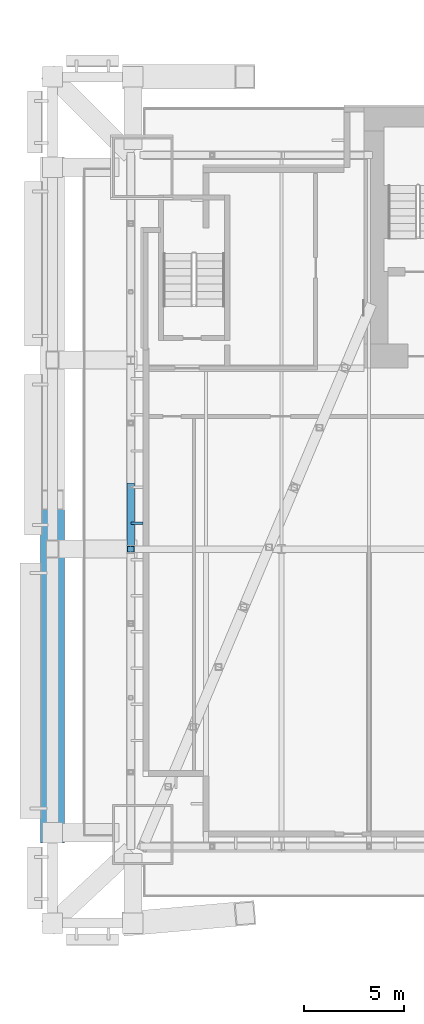
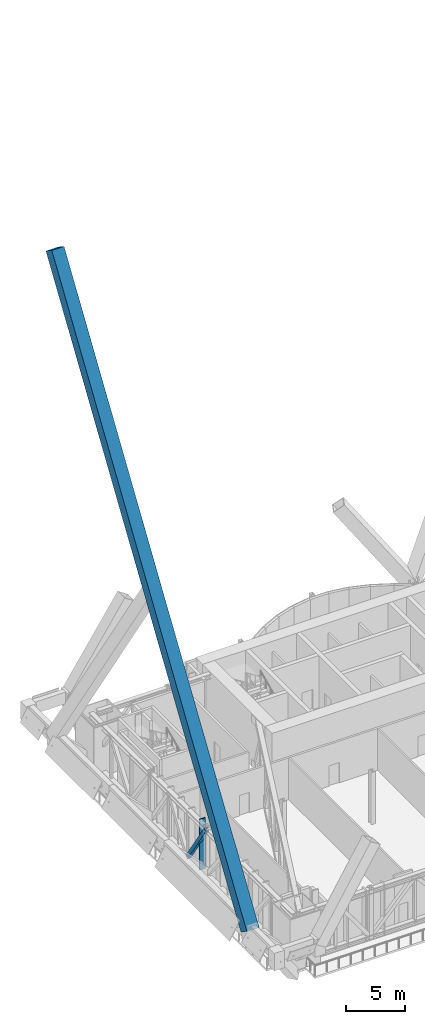
# One storey, part 7 of 32: 3 members, 1 element without a shape of its own.
"""IFC4 building model written with IfcOpenShell, lengths in metres."""

from ifc_helpers import new_model, si_unit, direction, frame, origin, origin_2d, place, context, subcontext, project, spatial, rectangle, hollow_rectangle, extrude, material, material_profile, profile_set, type_object, element, aggregate, save


model = new_model("IFC4")

# Units and contexts
model_context = context("Model", 3, precision=1e-05, world=origin(), true_north=direction((0.0, 1.0)))
body_context = subcontext(model_context, "Body", "Model", "MODEL_VIEW")
ifc_project = project(units=[si_unit("LENGTHUNIT", "METRE"), si_unit("AREAUNIT", "SQUARE_METRE"), si_unit("VOLUMEUNIT", "CUBIC_METRE"), si_unit("PLANEANGLEUNIT", "RADIAN"), si_unit("MASSUNIT", "GRAM", prefix="KILO")], contexts=[model_context])

# Site, building, storey
site_placement = place(None, origin())
site = spatial("IfcSite", under=ifc_project, at=site_placement, CompositionType="ELEMENT")
building_placement = place(site_placement, origin())
building = spatial("IfcBuilding", under=site, at=building_placement, Name="Bicima Exchange Tower", CompositionType="ELEMENT")
storey_placement = place(building_placement, frame((0.0, 0.0, 84.5)))
storey = spatial("IfcBuildingStorey", under=building, at=storey_placement, Name="L17", CompositionType="ELEMENT", Elevation=84.5)

# Curtain wall, member
ifc_material_1 = material(Name="Anodised bronze aluminium", Category="aluminium")
curtain_wall_type = type_object("IfcCurtainWallType", Name="Band blade screen", PredefinedType="NOTDEFINED", material=ifc_material_1)
curtain_wall_placement = place(storey_placement, origin())
curtain_wall = element("IfcCurtainWall", 1, at=curtain_wall_placement, inside=storey, type_object=curtain_wall_type, Name="Band blade screen L17", PredefinedType="NOTDEFINED")
ifc_material_profile_1 = material_profile(ifc_material_1, rectangle(XDim=0.60009765625, YDim=0.1201171875, at=origin_2d()))
ifc_profile_set_1 = profile_set([ifc_material_profile_1], Name="Anodised bronze aluminium")
member_type_1 = type_object("IfcMemberType", Name="Band blade fin 600 x 120", PredefinedType="USERDEFINED", material=ifc_profile_set_1)
member_1_placement = place(storey_placement, frame((-33.300048828125, -20.72021484375, 0.0), z_axis=(0.0, 0.0, 1.0), x_axis=(1.0, 0.0, 0.0)))
member_1 = element("IfcMember", 2, at=member_1_placement, type_object=member_type_1, Name="Band blade fin 20", ObjectType="FIN", PredefinedType="USERDEFINED", context=body_context, shape_type="SweptSolid", body=[
    extrude(rectangle(XDim=0.60009765625, YDim=0.1201171875, at=origin_2d()), origin(), (0.0, 0.0, 1.0), 5.25),
])
aggregate(curtain_wall, [member_1])

# Members
ifc_material_2 = material(Name="Steel ASTM A572 Gr 50", Category="steel")
ifc_material_profile_2 = material_profile(ifc_material_2, hollow_rectangle(XDim=0.355712890625, YDim=0.355712890625, WallThickness=0.0146484375, at=origin_2d()))
ifc_profile_set_2 = profile_set([ifc_material_profile_2], Name="Steel ASTM A572 Gr 50")
member_type_2 = type_object("IfcMemberType", Name="Belt truss diagonal HSS14x14x5/8", PredefinedType="STRUT", material=ifc_profile_set_2)
member_2_placement = place(storey_placement, frame((-33.60009765625, -18.86669921875, 0.248779296875), z_axis=(0.0, -0.550437034479, 0.834876680159), x_axis=(1.0, 0.0, 0.0)))
element("IfcMember", 3, at=member_2_placement, inside=storey, type_object=member_type_2, Name="Truss diagonal", PredefinedType="STRUT", context=body_context, shape_type="SweptSolid", body=[
    extrude(hollow_rectangle(XDim=0.355712890625, YDim=0.355712890625, WallThickness=0.0146484375, at=origin_2d()), origin(), (0.0, 0.0, 1.0), 5.6923828125),
])
ifc_material_profile_3 = material_profile(ifc_material_2, hollow_rectangle(XDim=1.199951171875, YDim=1.199951171875, WallThickness=0.070068359375, at=origin_2d()))
ifc_profile_set_3 = profile_set([ifc_material_profile_3], Name="Steel ASTM A572 Gr 50")
member_type_3 = type_object("IfcMemberType", Name="Exo mega brace BOX 1200x1200x70", PredefinedType="BRACE", material=ifc_profile_set_3)
member_3_placement = place(storey_placement, frame((-37.5, -36.11279296875, 4.5), z_axis=(0.0, 0.54833425175, 0.836259259057), x_axis=(-1.0, 0.0, 0.0)))
element("IfcMember", 4, at=member_3_placement, inside=storey, type_object=member_type_3, Name="Exo mega brace end", PredefinedType="BRACE", context=body_context, shape_type="SweptSolid", body=[
    extrude(hollow_rectangle(XDim=1.199951171875, YDim=1.199951171875, WallThickness=0.070068359375, at=origin_2d()), origin(), (0.0, 0.0, 1.0), 60.387939453125),
])

save(model, "model.ifc")
